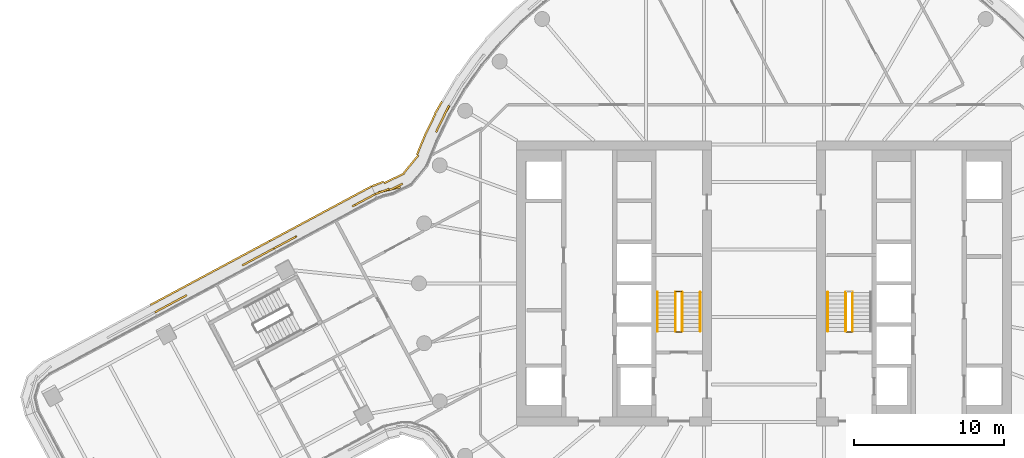
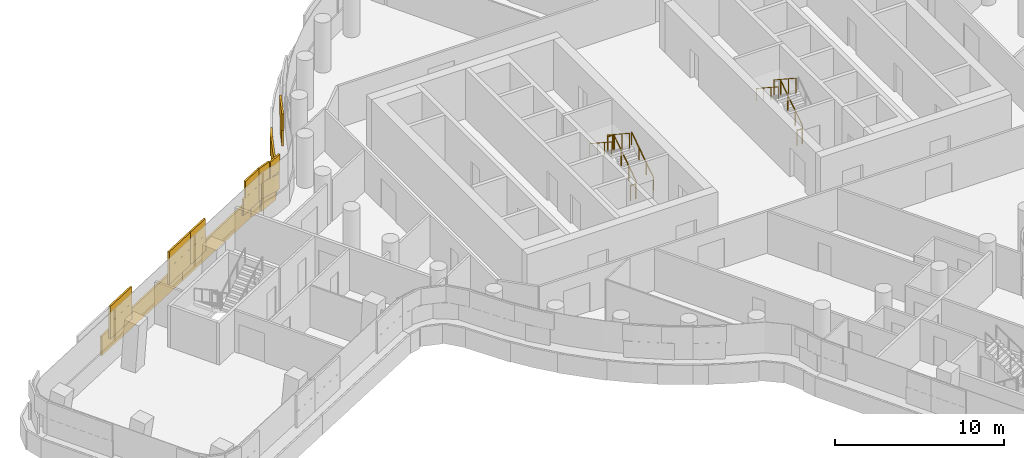
# One storey, part 28 of 33: 10 railings, 3 coverings.
"""IFC4 building model written with IfcOpenShell, lengths in metres."""

from ifc_helpers import new_model, si_unit, direction, frame, origin, origin_2d, place, context, subcontext, project, spatial, rectangle, circle, extrude, material, layer, layer_set, type_object, element, save


model = new_model("IFC4")

# Units and contexts
model_context = context("Model", 3, precision=1e-05, world=origin(), true_north=direction((0.0, 1.0)))
body_context = subcontext(model_context, "Body", "Model", "MODEL_VIEW")
ifc_project = project(units=[si_unit("LENGTHUNIT", "METRE"), si_unit("AREAUNIT", "SQUARE_METRE"), si_unit("VOLUMEUNIT", "CUBIC_METRE"), si_unit("PLANEANGLEUNIT", "RADIAN"), si_unit("MASSUNIT", "GRAM", prefix="KILO")], contexts=[model_context])

# Site, building, storey
site_placement = place(None, origin())
site = spatial("IfcSite", under=ifc_project, at=site_placement, CompositionType="ELEMENT")
building_placement = place(site_placement, origin())
building = spatial("IfcBuilding", under=site, at=building_placement, Name="Tamarind Cross Interchange Tower", CompositionType="ELEMENT")
storey_placement = place(building_placement, frame((0.0, 0.0, 136.75)))
storey = spatial("IfcBuildingStorey", under=building, at=storey_placement, Name="L33", CompositionType="ELEMENT", Elevation=136.75)

# Railings
ifc_material_1 = material(Name="Stair guard")
railing_type_1 = type_object("IfcRailingType", Name="Stair guard", PredefinedType="GUARDRAIL", material=ifc_material_1)
railing_1_placement = place(storey_placement, frame((-5.449951171875, -3.199951171875, 0.17041015625)))
element("IfcRailing", 1, at=railing_1_placement, inside=storey, type_object=railing_type_1, Name="L33 ST1 stair guard 1", PredefinedType="GUARDRAIL", context=body_context, shape_type="SweptSolid", body=[
    extrude(circle(Radius=0.02392578125, at=origin_2d()), frame((0.0, 0.0, 1.076171875), z_axis=(0.0, 0.836278606002, 0.548304744775), x_axis=(-1.0, 0.0, 0.0)), (0.0, 0.0, 1.0), 3.10888671875),
    extrude(circle(Radius=0.02099609375, at=origin_2d()), origin(), (0.0, 0.0, 1.0), 1.052001953125),
    extrude(circle(Radius=0.02099609375, at=origin_2d()), frame((0.0, 0.86669921875, 0.568115234375)), (0.0, 0.0, 1.0), 1.052001953125),
    extrude(circle(Radius=0.02099609375, at=origin_2d()), frame((0.0, 1.733154296875, 1.136474609375)), (0.0, 0.0, 1.0), 1.052001953125),
    extrude(circle(Radius=0.02099609375, at=origin_2d()), frame((0.0, 2.599853515625, 1.70458984375)), (0.0, 0.0, 1.0), 1.052001953125),
])
railing_2_placement = place(storey_placement, frame((-5.5, -0.550048828125, 1.875)))
element("IfcRailing", 2, at=railing_2_placement, inside=storey, type_object=railing_type_1, Name="L33 ST1 stair guard 2", PredefinedType="GUARDRAIL", context=body_context, shape_type="SweptSolid", body=[
    extrude(circle(Radius=0.02392578125, at=origin_2d()), frame((0.0, 0.0, 1.076171875), z_axis=(-1.0, 0.0, 0.0), x_axis=(0.0, -1.0, 0.0)), (0.0, 0.0, 1.0), 0.35009765625),
    extrude(circle(Radius=0.02099609375, at=origin_2d()), origin(), (0.0, 0.0, 1.0), 1.052001953125),
    extrude(circle(Radius=0.02099609375, at=origin_2d()), frame((-0.35009765625, 0.0, 0.0)), (0.0, 0.0, 1.0), 1.052001953125),
])
railing_3_placement = place(storey_placement, frame((-5.89990234375, -0.60009765625, 2.04541015625)))
element("IfcRailing", 3, at=railing_3_placement, inside=storey, type_object=railing_type_1, Name="L33 ST1 stair guard 3", PredefinedType="GUARDRAIL", context=body_context, shape_type="SweptSolid", body=[
    extrude(circle(Radius=0.02392578125, at=origin_2d()), frame((0.0, 0.0, 1.076171875), z_axis=(0.0, -0.836278606002, 0.548304744775), x_axis=(1.0, 0.0, 0.0)), (0.0, 0.0, 1.0), 3.10888671875),
    extrude(circle(Radius=0.02099609375, at=origin_2d()), origin(), (0.0, 0.0, 1.0), 1.052001953125),
    extrude(circle(Radius=0.02099609375, at=origin_2d()), frame((0.0, -0.86669921875, 0.568115234375)), (0.0, 0.0, 1.0), 1.052001953125),
    extrude(circle(Radius=0.02099609375, at=origin_2d()), frame((0.0, -1.733154296875, 1.136474609375)), (0.0, 0.0, 1.0), 1.052001953125),
    extrude(circle(Radius=0.02099609375, at=origin_2d()), frame((0.0, -2.599853515625, 1.70458984375)), (0.0, 0.0, 1.0), 1.052001953125),
])
railing_4_placement = place(storey_placement, frame((-5.5, -3.25, 0.0)))
element("IfcRailing", 4, at=railing_4_placement, inside=storey, type_object=railing_type_1, Name="L33 ST1 stair guard 4", PredefinedType="GUARDRAIL", context=body_context, shape_type="SweptSolid", body=[
    extrude(circle(Radius=0.02392578125, at=origin_2d()), frame((0.0, 0.0, 1.076171875), z_axis=(-1.0, 0.0, 0.0), x_axis=(0.0, -1.0, 0.0)), (0.0, 0.0, 1.0), 0.35009765625),
    extrude(circle(Radius=0.02099609375, at=origin_2d()), origin(), (0.0, 0.0, 1.0), 1.052001953125),
    extrude(circle(Radius=0.02099609375, at=origin_2d()), frame((-0.35009765625, 0.0, 0.0)), (0.0, 0.0, 1.0), 1.052001953125),
])
railing_5_placement = place(storey_placement, frame((5.89990234375, -3.199951171875, 0.17041015625)))
element("IfcRailing", 5, at=railing_5_placement, inside=storey, type_object=railing_type_1, Name="L33 ST2 stair guard 1", PredefinedType="GUARDRAIL", context=body_context, shape_type="SweptSolid", body=[
    extrude(circle(Radius=0.02392578125, at=origin_2d()), frame((0.0, 0.0, 1.076171875), z_axis=(0.0, 0.836278606002, 0.548304744775), x_axis=(-1.0, 0.0, 0.0)), (0.0, 0.0, 1.0), 3.10888671875),
    extrude(circle(Radius=0.02099609375, at=origin_2d()), origin(), (0.0, 0.0, 1.0), 1.052001953125),
    extrude(circle(Radius=0.02099609375, at=origin_2d()), frame((0.0, 0.86669921875, 0.568115234375)), (0.0, 0.0, 1.0), 1.052001953125),
    extrude(circle(Radius=0.02099609375, at=origin_2d()), frame((0.0, 1.733154296875, 1.136474609375)), (0.0, 0.0, 1.0), 1.052001953125),
    extrude(circle(Radius=0.02099609375, at=origin_2d()), frame((0.0, 2.599853515625, 1.70458984375)), (0.0, 0.0, 1.0), 1.052001953125),
])
railing_6_placement = place(storey_placement, frame((5.449951171875, -0.60009765625, 2.04541015625)))
element("IfcRailing", 6, at=railing_6_placement, inside=storey, type_object=railing_type_1, Name="L33 ST2 stair guard 3", PredefinedType="GUARDRAIL", context=body_context, shape_type="SweptSolid", body=[
    extrude(circle(Radius=0.02392578125, at=origin_2d()), frame((0.0, 0.0, 1.076171875), z_axis=(0.0, -0.836278606002, 0.548304744775), x_axis=(1.0, 0.0, 0.0)), (0.0, 0.0, 1.0), 3.10888671875),
    extrude(circle(Radius=0.02099609375, at=origin_2d()), origin(), (0.0, 0.0, 1.0), 1.052001953125),
    extrude(circle(Radius=0.02099609375, at=origin_2d()), frame((0.0, -0.86669921875, 0.568115234375)), (0.0, 0.0, 1.0), 1.052001953125),
    extrude(circle(Radius=0.02099609375, at=origin_2d()), frame((0.0, -1.733154296875, 1.136474609375)), (0.0, 0.0, 1.0), 1.052001953125),
    extrude(circle(Radius=0.02099609375, at=origin_2d()), frame((0.0, -2.599853515625, 1.70458984375)), (0.0, 0.0, 1.0), 1.052001953125),
])
railing_7_placement = place(storey_placement, frame((5.85009765625, -3.25, 0.0)))
element("IfcRailing", 7, at=railing_7_placement, inside=storey, type_object=railing_type_1, Name="L33 ST2 stair guard 4", PredefinedType="GUARDRAIL", context=body_context, shape_type="SweptSolid", body=[
    extrude(circle(Radius=0.02392578125, at=origin_2d()), frame((0.0, 0.0, 1.076171875), z_axis=(-1.0, 0.0, 0.0), x_axis=(0.0, -1.0, 0.0)), (0.0, 0.0, 1.0), 0.35009765625),
    extrude(circle(Radius=0.02099609375, at=origin_2d()), origin(), (0.0, 0.0, 1.0), 1.052001953125),
    extrude(circle(Radius=0.02099609375, at=origin_2d()), frame((-0.35009765625, 0.0, 0.0)), (0.0, 0.0, 1.0), 1.052001953125),
])
ifc_material_2 = material(Name="Stair handrail")
railing_type_2 = type_object("IfcRailingType", Name="Stair handrail", PredefinedType="HANDRAIL", material=ifc_material_2)
railing_8_placement = place(storey_placement, frame((-4.25, -3.199951171875, 0.17041015625)))
element("IfcRailing", 8, at=railing_8_placement, inside=storey, type_object=railing_type_2, Name="L33 ST1 stair handrail 1", PredefinedType="HANDRAIL", context=body_context, shape_type="SweptSolid", body=[
    extrude(circle(Radius=0.02392578125, at=origin_2d()), frame((0.0, 0.0, 0.8759765625), z_axis=(0.0, 0.836278606002, 0.548304744775), x_axis=(-1.0, 0.0, 0.0)), (0.0, 0.0, 1.0), 3.10888671875),
    extrude(circle(Radius=0.02099609375, at=origin_2d()), origin(), (0.0, 0.0, 1.0), 0.851806640625),
    extrude(circle(Radius=0.02099609375, at=origin_2d()), frame((0.0, 0.86669921875, 0.568115234375)), (0.0, 0.0, 1.0), 0.851806640625),
    extrude(circle(Radius=0.02099609375, at=origin_2d()), frame((0.0, 1.733154296875, 1.136474609375)), (0.0, 0.0, 1.0), 0.851806640625),
    extrude(circle(Radius=0.02099609375, at=origin_2d()), frame((0.0, 2.599853515625, 1.70458984375)), (0.0, 0.0, 1.0), 0.851806640625),
])
for number, where, name in (
    (9, (-7.10009765625, -0.60009765625, 2.04541015625), "L33 ST1 stair handrail 2"),
    (10, (4.25, -0.60009765625, 2.04541015625), "L33 ST2 stair handrail 2"),
):
    element("IfcRailing", number, at=place(storey_placement, frame(where)), inside=storey, type_object=railing_type_2, Name=name, PredefinedType="HANDRAIL", context=body_context, shape_type="SweptSolid", body=[
        extrude(circle(Radius=0.02392578125, at=origin_2d()), frame((0.0, 0.0, 0.8759765625), z_axis=(0.0, -0.836278606002, 0.548304744775), x_axis=(1.0, 0.0, 0.0)), (0.0, 0.0, 1.0), 3.10888671875),
        extrude(circle(Radius=0.02099609375, at=origin_2d()), origin(), (0.0, 0.0, 1.0), 0.851806640625),
        extrude(circle(Radius=0.02099609375, at=origin_2d()), frame((0.0, -0.86669921875, 0.568115234375)), (0.0, 0.0, 1.0), 0.851806640625),
        extrude(circle(Radius=0.02099609375, at=origin_2d()), frame((0.0, -1.733154296875, 1.136474609375)), (0.0, 0.0, 1.0), 0.851806640625),
        extrude(circle(Radius=0.02099609375, at=origin_2d()), frame((0.0, -2.599853515625, 1.70458984375)), (0.0, 0.0, 1.0), 0.851806640625),
    ])

# Coverings
ifc_material_3 = material(Name="Terracotta", Category="masonry")
ifc_layer = layer(ifc_material_3, 0.1201171875)
ifc_layer_set = layer_set([ifc_layer], Name="Terracotta")
covering_type = type_object("IfcCoveringType", Name="Terracotta baguette screen unit", PredefinedType="MOLDING", material=ifc_layer_set)
covering_1_placement = place(storey_placement, origin())
element("IfcCovering", 11, at=covering_1_placement, inside=storey, type_object=covering_type, Name="SCR-L33-02-01", PredefinedType="MOLDING", context=body_context, shape_type="SweptSolid", body=[
    extrude(rectangle(XDim=0.41064453125, YDim=0.1201171875, at=origin_2d()), frame((-21.06640625, 11.6533203125, 1.404052734375), z_axis=(0.0, 0.0, 1.0), x_axis=(-0.508183308752, -0.861248933065, 0.0)), (0.0, 0.0, 1.0), 1.1669921875),
    extrude(rectangle(XDim=1.52001953125, YDim=0.1201171875, at=origin_2d()), frame((-21.50390625, 10.810546875, 1.404052734375), z_axis=(0.0, 0.0, 1.0), x_axis=(-0.435326231914, -0.900272776334, 0.0)), (0.0, 0.0, 1.0), 1.1669921875),
    extrude(rectangle(XDim=1.52001953125, YDim=0.1201171875, at=origin_2d()), frame((-24.978759765625, 6.2333984375, 1.404052734375), z_axis=(0.0, 0.0, 1.0), x_axis=(-0.973540628652, -0.228513991615, 0.0)), (0.0, 0.0, 1.0), 1.1669921875),
    extrude(rectangle(XDim=0.254150390625, YDim=0.1201171875, at=origin_2d()), frame((-25.81201171875, 5.982666015625, 1.404052734375), z_axis=(0.0, 0.0, 1.0), x_axis=(-0.935384792421, -0.353631573969, 0.0)), (0.0, 0.0, 1.0), 1.1669921875),
    extrude(rectangle(XDim=1.16064453125, YDim=0.1201171875, at=origin_2d()), frame((-21.25341796875, 11.328369140625, 2.5791015625), z_axis=(0.0, 0.0, 1.0), x_axis=(-0.435326231914, -0.900272776334, 0.0)), (0.0, 0.0, 1.0), 1.1669921875),
    extrude(rectangle(XDim=0.831787109375, YDim=0.1201171875, at=origin_2d()), frame((-21.682861328125, 10.440673828125, 2.5791015625), z_axis=(0.0, 0.0, 1.0), x_axis=(-0.435326231914, -0.900272776334, 0.0)), (0.0, 0.0, 1.0), 1.1669921875),
    extrude(rectangle(XDim=0.98828125, YDim=0.1201171875, at=origin_2d()), frame((-24.52978515625, 6.421875, 2.5791015625), z_axis=(0.0, 0.0, 1.0), x_axis=(-0.900238234711, -0.435397658199, 0.0)), (0.0, 0.0, 1.0), 1.1669921875),
    extrude(rectangle(XDim=1.004150390625, YDim=0.1201171875, at=origin_2d()), frame((-25.46142578125, 6.115234375, 2.5791015625), z_axis=(0.0, 0.0, 1.0), x_axis=(-0.935384792421, -0.353631573969, 0.0)), (0.0, 0.0, 1.0), 1.1669921875),
    extrude(rectangle(XDim=0.914794921875, YDim=0.1201171875, at=origin_2d()), frame((-21.697265625, 11.7138671875, 0.00390625), z_axis=(0.0, 0.0, 1.0), x_axis=(-0.508183308752, -0.861248933065, 0.0)), (0.0, 0.0, 1.0), 1.39208984375),
    extrude(rectangle(XDim=1.52001953125, YDim=0.1201171875, at=origin_2d()), frame((-22.224365234375, 10.63916015625, 0.00390625), z_axis=(0.0, 0.0, 1.0), x_axis=(-0.435326231914, -0.900272776334, 0.0)), (0.0, 0.0, 1.0), 1.39208984375),
    extrude(rectangle(XDim=1.52001953125, YDim=0.1201171875, at=origin_2d()), frame((-22.844482421875, 9.27392578125, 0.00390625), z_axis=(0.0, 0.0, 1.0), x_axis=(-0.379006038387, -0.925394198634, 0.0)), (0.0, 0.0, 1.0), 1.39208984375),
    extrude(rectangle(XDim=1.52001953125, YDim=0.1201171875, at=origin_2d()), frame((-23.521484375, 7.95068359375, 0.00390625), z_axis=(0.0, 0.0, 1.0), x_axis=(-0.634864036069, -0.772623877256, 0.0)), (0.0, 0.0, 1.0), 1.39208984375),
    extrude(rectangle(XDim=1.52001953125, YDim=0.1201171875, at=origin_2d()), frame((-24.641845703125, 7.00537109375, 0.00390625), z_axis=(0.0, 0.0, 1.0), x_axis=(-0.900238234711, -0.435397658199, 0.0)), (0.0, 0.0, 1.0), 1.39208984375),
    extrude(rectangle(XDim=0.882568359375, YDim=0.1201171875, at=origin_2d()), frame((-25.751708984375, 6.619140625, 0.00390625), z_axis=(0.0, 0.0, 1.0), x_axis=(-0.935384792421, -0.353631573969, 0.0)), (0.0, 0.0, 1.0), 1.39208984375),
])
covering_2_placement = place(storey_placement, origin())
element("IfcCovering", 12, at=covering_2_placement, inside=storey, type_object=covering_type, Name="SCR-L33-03-00", PredefinedType="MOLDING", context=body_context, shape_type="SweptSolid", body=[
    extrude(rectangle(XDim=0.760009765625, YDim=0.1201171875, at=origin_2d()), frame((-26.2568359375, 5.76220703125, 1.404052734375), z_axis=(0.0, 0.0, 1.0), x_axis=(-0.881224263054, -0.472698422046, 0.0)), (0.0, 0.0, 1.0), 1.1669921875),
    extrude(rectangle(XDim=0.983642578125, YDim=0.1201171875, at=origin_2d()), frame((-27.01611328125, 5.35498046875, 1.404052734375), z_axis=(0.0, 0.0, 1.0), x_axis=(-0.881224263054, -0.472698422046, 0.0)), (0.0, 0.0, 1.0), 1.1669921875),
    extrude(rectangle(XDim=0.83642578125, YDim=0.1201171875, at=origin_2d()), frame((-31.510498046875, 2.944091796875, 1.404052734375), z_axis=(0.0, 0.0, 1.0), x_axis=(-0.881224263054, -0.472698422046, 0.0)), (0.0, 0.0, 1.0), 1.1669921875),
    extrude(rectangle(XDim=0.9072265625, YDim=0.1201171875, at=origin_2d()), frame((-32.27001953125, 2.53662109375, 1.404052734375), z_axis=(0.0, 0.0, 1.0), x_axis=(-0.881224263054, -0.472698422046, 0.0)), (0.0, 0.0, 1.0), 1.1669921875),
    extrude(rectangle(XDim=1.510009765625, YDim=0.1201171875, at=origin_2d()), frame((-26.587158203125, 5.5849609375, 2.5791015625), z_axis=(0.0, 0.0, 1.0), x_axis=(-0.881224263054, -0.472698422046, 0.0)), (0.0, 0.0, 1.0), 1.1669921875),
    extrude(rectangle(XDim=1.52001953125, YDim=0.1201171875, at=origin_2d()), frame((-31.87451171875, 2.748779296875, 2.5791015625), z_axis=(0.0, 0.0, 1.0), x_axis=(-0.881224263054, -0.472698422046, 0.0)), (0.0, 0.0, 1.0), 1.1669921875),
    extrude(rectangle(XDim=0.1572265625, YDim=0.1201171875, at=origin_2d()), frame((-32.600341796875, 2.359375, 2.5791015625), z_axis=(0.0, 0.0, 1.0), x_axis=(-0.881224263054, -0.472698422046, 0.0)), (0.0, 0.0, 1.0), 1.1669921875),
    extrude(rectangle(XDim=0.760009765625, YDim=0.1201171875, at=origin_2d()), frame((-26.499267578125, 6.283447265625, 0.00390625), z_axis=(0.0, 0.0, 1.0), x_axis=(-0.881224263054, -0.472698422046, 0.0)), (0.0, 0.0, 1.0), 1.39208984375),
    extrude(rectangle(XDim=1.52001953125, YDim=0.1201171875, at=origin_2d()), frame((-27.486328125, 5.754150390625, 0.00390625), z_axis=(0.0, 0.0, 1.0), x_axis=(-0.881224263054, -0.472698422046, 0.0)), (0.0, 0.0, 1.0), 1.39208984375),
    extrude(rectangle(XDim=1.52001953125, YDim=0.1201171875, at=origin_2d()), frame((-28.80810546875, 5.044921875, 0.00390625), z_axis=(0.0, 0.0, 1.0), x_axis=(-0.881224263054, -0.472698422046, 0.0)), (0.0, 0.0, 1.0), 1.39208984375),
    extrude(rectangle(XDim=1.52001953125, YDim=0.1201171875, at=origin_2d()), frame((-30.1298828125, 4.3359375, 0.00390625), z_axis=(0.0, 0.0, 1.0), x_axis=(-0.881224263054, -0.472698422046, 0.0)), (0.0, 0.0, 1.0), 1.39208984375),
    extrude(rectangle(XDim=1.52001953125, YDim=0.1201171875, at=origin_2d()), frame((-31.451904296875, 3.626953125, 0.00390625), z_axis=(0.0, 0.0, 1.0), x_axis=(-0.881224263054, -0.472698422046, 0.0)), (0.0, 0.0, 1.0), 1.39208984375),
    extrude(rectangle(XDim=0.942138671875, YDim=0.1201171875, at=origin_2d()), frame((-32.51904296875, 3.054443359375, 0.00390625), z_axis=(0.0, 0.0, 1.0), x_axis=(-0.881224263054, -0.472698422046, 0.0)), (0.0, 0.0, 1.0), 1.39208984375),
])
covering_3_placement = place(storey_placement, origin())
element("IfcCovering", 13, at=covering_3_placement, inside=storey, type_object=covering_type, Name="SCR-L33-03-01", PredefinedType="MOLDING", context=body_context, shape_type="SweptSolid", body=[
    extrude(rectangle(XDim=0.61279296875, YDim=0.1201171875, at=origin_2d()), frame((-32.930908203125, 2.18212890625, 1.404052734375), z_axis=(0.0, 0.0, 1.0), x_axis=(-0.881224263054, -0.472698422046, 0.0)), (0.0, 0.0, 1.0), 1.1669921875),
    extrude(rectangle(XDim=1.52001953125, YDim=0.1201171875, at=origin_2d()), frame((-33.857421875, 1.685302734375, 1.404052734375), z_axis=(0.0, 0.0, 1.0), x_axis=(-0.881224263054, -0.472698422046, 0.0)), (0.0, 0.0, 1.0), 1.1669921875),
    extrude(rectangle(XDim=0.310546875, YDim=0.1201171875, at=origin_2d()), frame((-34.650634765625, 1.259765625, 1.404052734375), z_axis=(0.0, 0.0, 1.0), x_axis=(-0.881224263054, -0.472698422046, 0.0)), (0.0, 0.0, 1.0), 1.1669921875),
    extrude(rectangle(XDim=1.509521484375, YDim=0.1201171875, at=origin_2d()), frame((-39.144775390625, -1.151123046875, 1.404052734375), z_axis=(0.0, 0.0, 1.0), x_axis=(-0.881224263054, -0.472698422046, 0.0)), (0.0, 0.0, 1.0), 1.1669921875),
    extrude(rectangle(XDim=0.91357421875, YDim=0.1201171875, at=origin_2d()), frame((-40.203857421875, -1.718994140625, 1.404052734375), z_axis=(0.0, 0.0, 1.0), x_axis=(-0.881224263054, -0.472698422046, 0.0)), (0.0, 0.0, 1.0), 1.1669921875),
    extrude(rectangle(XDim=1.36279296875, YDim=0.1201171875, at=origin_2d()), frame((-33.26123046875, 2.0048828125, 2.5791015625), z_axis=(0.0, 0.0, 1.0), x_axis=(-0.881224263054, -0.472698422046, 0.0)), (0.0, 0.0, 1.0), 1.1669921875),
    extrude(rectangle(XDim=1.060546875, YDim=0.1201171875, at=origin_2d()), frame((-34.320068359375, 1.43701171875, 2.5791015625), z_axis=(0.0, 0.0, 1.0), x_axis=(-0.881224263054, -0.472698422046, 0.0)), (0.0, 0.0, 1.0), 1.1669921875),
    extrude(rectangle(XDim=0.759521484375, YDim=0.1201171875, at=origin_2d()), frame((-38.814453125, -0.973876953125, 2.5791015625), z_axis=(0.0, 0.0, 1.0), x_axis=(-0.881224263054, -0.472698422046, 0.0)), (0.0, 0.0, 1.0), 1.1669921875),
    extrude(rectangle(XDim=1.52001953125, YDim=0.1201171875, at=origin_2d()), frame((-39.8056640625, -1.50537109375, 2.5791015625), z_axis=(0.0, 0.0, 1.0), x_axis=(-0.881224263054, -0.472698422046, 0.0)), (0.0, 0.0, 1.0), 1.1669921875),
    extrude(rectangle(XDim=0.16357421875, YDim=0.1201171875, at=origin_2d()), frame((-40.5341796875, -1.896240234375, 2.5791015625), z_axis=(0.0, 0.0, 1.0), x_axis=(-0.881224263054, -0.472698422046, 0.0)), (0.0, 0.0, 1.0), 1.1669921875),
    extrude(rectangle(XDim=0.577880859375, YDim=0.1201171875, at=origin_2d()), frame((-33.188720703125, 2.6953125, 0.00390625), z_axis=(0.0, 0.0, 1.0), x_axis=(-0.881224263054, -0.472698422046, 0.0)), (0.0, 0.0, 1.0), 1.39208984375),
    extrude(rectangle(XDim=1.52001953125, YDim=0.1201171875, at=origin_2d()), frame((-34.095458984375, 2.208740234375, 0.00390625), z_axis=(0.0, 0.0, 1.0), x_axis=(-0.881224263054, -0.472698422046, 0.0)), (0.0, 0.0, 1.0), 1.39208984375),
    extrude(rectangle(XDim=1.52001953125, YDim=0.1201171875, at=origin_2d()), frame((-35.417236328125, 1.499755859375, 0.00390625), z_axis=(0.0, 0.0, 1.0), x_axis=(-0.881224263054, -0.472698422046, 0.0)), (0.0, 0.0, 1.0), 1.39208984375),
    extrude(rectangle(XDim=1.52001953125, YDim=0.1201171875, at=origin_2d()), frame((-36.7392578125, 0.790771484375, 0.00390625), z_axis=(0.0, 0.0, 1.0), x_axis=(-0.881224263054, -0.472698422046, 0.0)), (0.0, 0.0, 1.0), 1.39208984375),
    extrude(rectangle(XDim=1.52001953125, YDim=0.1201171875, at=origin_2d()), frame((-38.06103515625, 0.081787109375, 0.00390625), z_axis=(0.0, 0.0, 1.0), x_axis=(-0.881224263054, -0.472698422046, 0.0)), (0.0, 0.0, 1.0), 1.39208984375),
    extrude(rectangle(XDim=1.52001953125, YDim=0.1201171875, at=origin_2d()), frame((-39.3828125, -0.62744140625, 0.00390625), z_axis=(0.0, 0.0, 1.0), x_axis=(-0.881224263054, -0.472698422046, 0.0)), (0.0, 0.0, 1.0), 1.39208984375),
    extrude(rectangle(XDim=0.989501953125, YDim=0.1201171875, at=origin_2d()), frame((-40.470947265625, -1.2109375, 0.00390625), z_axis=(0.0, 0.0, 1.0), x_axis=(-0.881224263054, -0.472698422046, 0.0)), (0.0, 0.0, 1.0), 1.39208984375),
])

save(model, "model.ifc")
